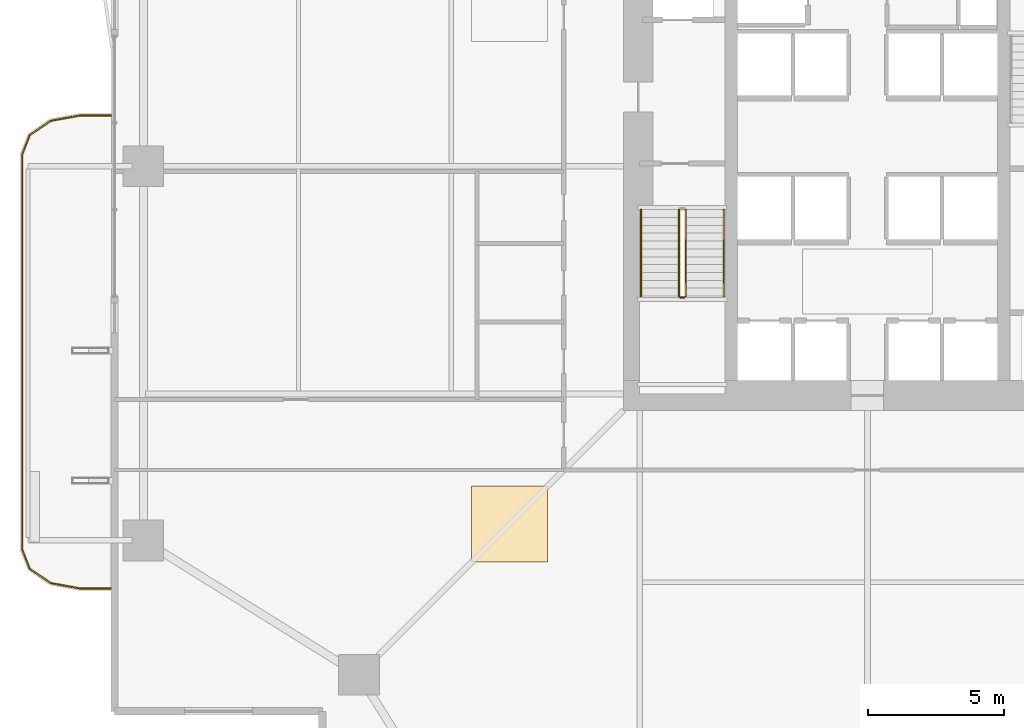
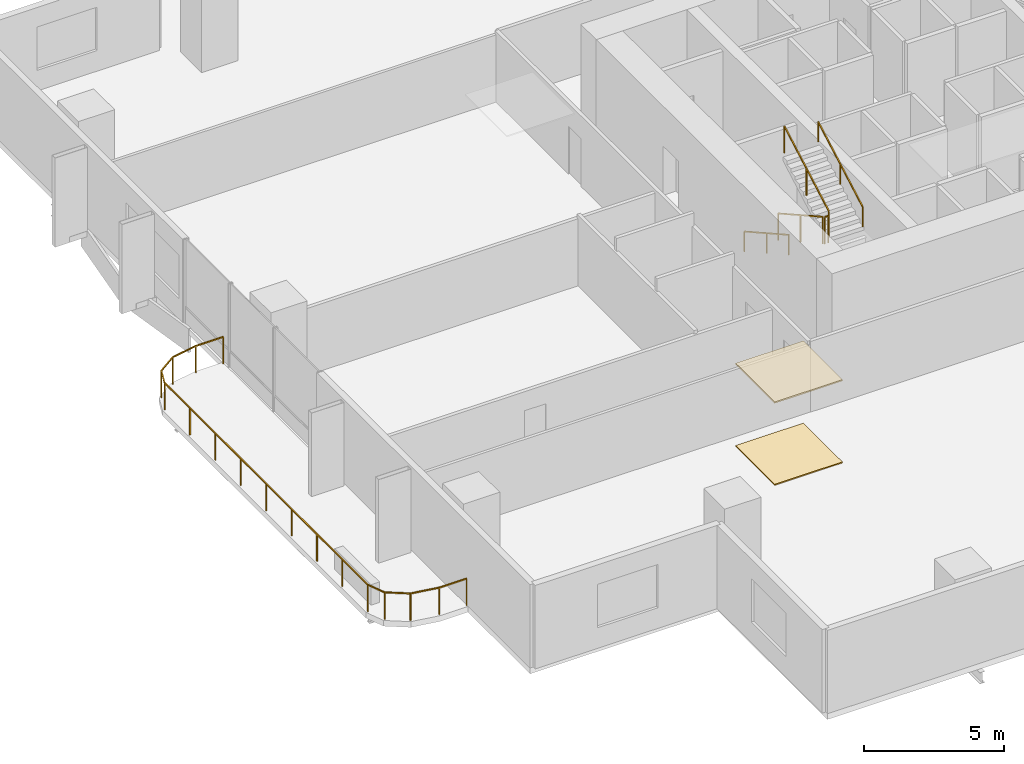
# One storey, part 20 of 23: 6 railings, 2 coverings.
"""IFC4 building model written with IfcOpenShell, lengths in metres."""

from ifc_helpers import new_model, si_unit, direction, frame, origin, origin_2d, place, context, subcontext, project, spatial, polyline, rectangle, outline, extrude, material, layer, layer_set, type_object, element, save


model = new_model("IFC4")

# Units and contexts
model_context = context("Model", 3, precision=1e-05, world=origin(), true_north=direction((0.0, 1.0)))
body_context = subcontext(model_context, "Body", "Model", "MODEL_VIEW")
ifc_project = project(units=[si_unit("LENGTHUNIT", "METRE"), si_unit("AREAUNIT", "SQUARE_METRE"), si_unit("VOLUMEUNIT", "CUBIC_METRE"), si_unit("PLANEANGLEUNIT", "RADIAN"), si_unit("MASSUNIT", "GRAM", prefix="KILO")], contexts=[model_context])

# Site, building, storey
site_placement = place(None, origin())
site = spatial("IfcSite", under=ifc_project, at=site_placement, CompositionType="ELEMENT")
building_placement = place(site_placement, origin())
building = spatial("IfcBuilding", under=site, at=building_placement, Name="Belovzor Exchange Tower", CompositionType="ELEMENT")
storey_placement = place(building_placement, frame((0.0, 0.0, 84.60009765625)))
storey = spatial("IfcBuildingStorey", under=building, at=storey_placement, Name="L20", CompositionType="ELEMENT", Elevation=84.60009765625)

# Railings
ifc_material_1 = material(Name="Stainless Steel Grade 304", Category="steel")
railing_type_1 = type_object("IfcRailingType", Name="Brushed Stainless Steel Stair Handrail 900", PredefinedType="HANDRAIL", material=ifc_material_1)
railing_1_placement = place(storey_placement, frame((20.449951171875, 27.199951171875, 0.162353515625)))
element("IfcRailing", 1, at=railing_1_placement, inside=storey, type_object=railing_type_1, Name="L20 ST-1 stair handrail 1", PredefinedType="HANDRAIL", context=body_context, shape_type="SweptSolid", body=[
    extrude(rectangle(XDim=0.048095703125, YDim=0.048095703125, at=origin_2d()), frame((0.0, 0.0, 0.8759765625), z_axis=(0.0, -0.8723625253, 0.488859514025), x_axis=(1.0, 0.0, 0.0)), (0.0, 0.0, 1.0), 3.65673828125),
    extrude(rectangle(XDim=0.0419921875, YDim=0.0419921875, at=origin_2d()), origin(), (0.0, 0.0, 1.0), 0.851806640625),
    extrude(rectangle(XDim=0.0419921875, YDim=0.0419921875, at=origin_2d()), frame((0.0, -1.594970703125, 0.893798828125)), (0.0, 0.0, 1.0), 0.851806640625),
    extrude(rectangle(XDim=0.0419921875, YDim=0.0419921875, at=origin_2d()), frame((0.0, -3.18994140625, 1.78759765625)), (0.0, 0.0, 1.0), 0.851806640625),
])
railing_2_placement = place(storey_placement, frame((23.5, 24.010009765625, 2.1123046875)))
element("IfcRailing", 2, at=railing_2_placement, inside=storey, type_object=railing_type_1, Name="L20 ST-1 stair handrail 2", PredefinedType="HANDRAIL", context=body_context, shape_type="SweptSolid", body=[
    extrude(rectangle(XDim=0.048095703125, YDim=0.048095703125, at=origin_2d()), frame((0.0, 0.0, 0.8759765625), z_axis=(0.0, 0.8723625253, 0.488859514025), x_axis=(-1.0, 0.0, 0.0)), (0.0, 0.0, 1.0), 3.65673828125),
    extrude(rectangle(XDim=0.0419921875, YDim=0.0419921875, at=origin_2d()), origin(), (0.0, 0.0, 1.0), 0.851806640625),
    extrude(rectangle(XDim=0.0419921875, YDim=0.0419921875, at=origin_2d()), frame((0.0, 1.594970703125, 0.893798828125)), (0.0, 0.0, 1.0), 0.851806640625),
    extrude(rectangle(XDim=0.0419921875, YDim=0.0419921875, at=origin_2d()), frame((0.0, 3.18994140625, 1.78759765625)), (0.0, 0.0, 1.0), 0.851806640625),
])
ifc_material_2 = material(Name="Stainless Steel and Laminated Safety Glass", Category="steel")
railing_type_2 = type_object("IfcRailingType", Name="Laminated Glass & Stainless Steel Balcony Balustrade 1200", PredefinedType="BALUSTRADE", material=ifc_material_2)
railing_3_placement = place(storey_placement, frame((0.889892578125, 30.669921875, 0.0)))
element("IfcRailing", 3, at=railing_3_placement, inside=storey, type_object=railing_type_2, Name="GR-1 Balcony Balustrade L20 West", PredefinedType="BALUSTRADE", context=body_context, shape_type="SweptSolid", body=[
    extrude(rectangle(XDim=0.048095703125, YDim=0.048095703125, at=origin_2d()), frame((0.0, 0.0, 1.17578125), z_axis=(-1.0, 0.0, 0.0), x_axis=(0.0, -1.0, 0.0)), (0.0, 0.0, 1.0), 1.1328125),
    extrude(rectangle(XDim=0.048095703125, YDim=0.048095703125, at=origin_2d()), frame((-1.1328125, 0.0, 1.17578125), z_axis=(-0.983651385113, -0.180083182347, 0.0), x_axis=(0.180083182347, -0.983651385113, 0.0)), (0.0, 0.0, 1.0), 1.093994140625),
    extrude(rectangle(XDim=0.048095703125, YDim=0.048095703125, at=origin_2d()), frame((-2.208984375, -0.197021484375, 1.17578125), z_axis=(-0.826614792125, -0.562768145367, 0.0), x_axis=(0.562768145367, -0.826614792125, 0.0)), (0.0, 0.0, 1.0), 0.9326171875),
    extrude(rectangle(XDim=0.048095703125, YDim=0.048095703125, at=origin_2d()), frame((-2.97998046875, -0.721923828125, 1.17578125), z_axis=(-0.365612923861, -0.930766990125, 0.0), x_axis=(0.930766990125, -0.365612923861, 0.0)), (0.0, 0.0, 1.0), 0.765869140625),
    extrude(rectangle(XDim=0.048095703125, YDim=0.048095703125, at=origin_2d()), frame((-3.260009765625, -1.434814453125, 1.17578125), z_axis=(0.0, -1.0, 0.0), x_axis=(1.0, 0.0, 0.0)), (0.0, 0.0, 1.0), 14.570068359375),
    extrude(rectangle(XDim=0.048095703125, YDim=0.048095703125, at=origin_2d()), frame((-3.260009765625, -16.0048828125, 1.17578125), z_axis=(0.365504480807, -0.930809580156, 0.0), x_axis=(0.930809580156, 0.365504480807, 0.0)), (0.0, 0.0, 1.0), 0.76611328125),
    extrude(rectangle(XDim=0.048095703125, YDim=0.048095703125, at=origin_2d()), frame((-2.97998046875, -16.718017578125, 1.17578125), z_axis=(0.826614792125, -0.562768145367, 0.0), x_axis=(0.562768145367, 0.826614792125, 0.0)), (0.0, 0.0, 1.0), 0.9326171875),
    extrude(rectangle(XDim=0.048095703125, YDim=0.048095703125, at=origin_2d()), frame((-2.208984375, -17.242919921875, 1.17578125), z_axis=(0.983651385113, -0.180083182347, 0.0), x_axis=(0.180083182347, 0.983651385113, 0.0)), (0.0, 0.0, 1.0), 1.093994140625),
    extrude(rectangle(XDim=0.048095703125, YDim=0.048095703125, at=origin_2d()), frame((-1.1328125, -17.43994140625, 1.17578125), z_axis=(1.0, 0.0, 0.0), x_axis=(0.0, 1.0, 0.0)), (0.0, 0.0, 1.0), 1.1328125),
    extrude(rectangle(XDim=0.0419921875, YDim=0.0419921875, at=origin_2d()), origin(), (0.0, 0.0, 1.0), 1.15185546875),
    extrude(rectangle(XDim=0.0419921875, YDim=0.0419921875, at=origin_2d()), frame((-1.1328125, 0.0, 0.0)), (0.0, 0.0, 1.0), 1.15185546875),
    extrude(rectangle(XDim=0.0419921875, YDim=0.0419921875, at=origin_2d()), frame((-2.208984375, -0.197021484375, 0.0)), (0.0, 0.0, 1.0), 1.15185546875),
    extrude(rectangle(XDim=0.0419921875, YDim=0.0419921875, at=origin_2d()), frame((-2.97998046875, -0.721923828125, 0.0)), (0.0, 0.0, 1.0), 1.15185546875),
    extrude(rectangle(XDim=0.0419921875, YDim=0.0419921875, at=origin_2d()), frame((-3.260009765625, -1.434814453125, 0.0)), (0.0, 0.0, 1.0), 1.15185546875),
    extrude(rectangle(XDim=0.0419921875, YDim=0.0419921875, at=origin_2d()), frame((-3.260009765625, -3.256103515625, 0.0)), (0.0, 0.0, 1.0), 1.15185546875),
    extrude(rectangle(XDim=0.0419921875, YDim=0.0419921875, at=origin_2d()), frame((-3.260009765625, -5.077392578125, 0.0)), (0.0, 0.0, 1.0), 1.15185546875),
    extrude(rectangle(XDim=0.0419921875, YDim=0.0419921875, at=origin_2d()), frame((-3.260009765625, -6.898681640625, 0.0)), (0.0, 0.0, 1.0), 1.15185546875),
    extrude(rectangle(XDim=0.0419921875, YDim=0.0419921875, at=origin_2d()), frame((-3.260009765625, -8.7197265625, 0.0)), (0.0, 0.0, 1.0), 1.15185546875),
    extrude(rectangle(XDim=0.0419921875, YDim=0.0419921875, at=origin_2d()), frame((-3.260009765625, -10.541015625, 0.0)), (0.0, 0.0, 1.0), 1.15185546875),
    extrude(rectangle(XDim=0.0419921875, YDim=0.0419921875, at=origin_2d()), frame((-3.260009765625, -12.3623046875, 0.0)), (0.0, 0.0, 1.0), 1.15185546875),
    extrude(rectangle(XDim=0.0419921875, YDim=0.0419921875, at=origin_2d()), frame((-3.260009765625, -14.18359375, 0.0)), (0.0, 0.0, 1.0), 1.15185546875),
    extrude(rectangle(XDim=0.0419921875, YDim=0.0419921875, at=origin_2d()), frame((-3.260009765625, -16.0048828125, 0.0)), (0.0, 0.0, 1.0), 1.15185546875),
    extrude(rectangle(XDim=0.0419921875, YDim=0.0419921875, at=origin_2d()), frame((-2.97998046875, -16.718017578125, 0.0)), (0.0, 0.0, 1.0), 1.15185546875),
    extrude(rectangle(XDim=0.0419921875, YDim=0.0419921875, at=origin_2d()), frame((-2.208984375, -17.242919921875, 0.0)), (0.0, 0.0, 1.0), 1.15185546875),
    extrude(rectangle(XDim=0.0419921875, YDim=0.0419921875, at=origin_2d()), frame((-1.1328125, -17.43994140625, 0.0)), (0.0, 0.0, 1.0), 1.15185546875),
    extrude(rectangle(XDim=0.0419921875, YDim=0.0419921875, at=origin_2d()), frame((0.0, -17.43994140625, 0.0)), (0.0, 0.0, 1.0), 1.15185546875),
])
ifc_material_3 = material(Name="Steel S355", Category="steel")
railing_type_3 = type_object("IfcRailingType", Name="Painted Steel Stairwell Guardrail 1200", PredefinedType="GUARDRAIL", material=ifc_material_3)
railing_4_placement = place(storey_placement, frame((21.85009765625, 27.199951171875, 0.162353515625)))
element("IfcRailing", 4, at=railing_4_placement, inside=storey, type_object=railing_type_3, Name="L20 ST-1 stair guard 1", PredefinedType="GUARDRAIL", context=body_context, shape_type="SweptSolid", body=[
    extrude(rectangle(XDim=0.048095703125, YDim=0.048095703125, at=origin_2d()), frame((0.0, 0.0, 1.17578125), z_axis=(0.0, -0.8723625253, 0.488859514025), x_axis=(1.0, 0.0, 0.0)), (0.0, 0.0, 1.0), 3.65673828125),
    extrude(rectangle(XDim=0.0419921875, YDim=0.0419921875, at=origin_2d()), origin(), (0.0, 0.0, 1.0), 1.15185546875),
    extrude(rectangle(XDim=0.0419921875, YDim=0.0419921875, at=origin_2d()), frame((0.0, -1.594970703125, 0.893798828125)), (0.0, 0.0, 1.0), 1.15185546875),
    extrude(rectangle(XDim=0.0419921875, YDim=0.0419921875, at=origin_2d()), frame((0.0, -3.18994140625, 1.78759765625)), (0.0, 0.0, 1.0), 1.15185546875),
])
railing_5_placement = place(storey_placement, frame((21.89990234375, 23.9599609375, 1.949951171875)))
element("IfcRailing", 5, at=railing_5_placement, inside=storey, type_object=railing_type_3, Name="L20 ST-1 stair guard 2", PredefinedType="GUARDRAIL", context=body_context, shape_type="SweptSolid", body=[
    extrude(rectangle(XDim=0.048095703125, YDim=0.048095703125, at=origin_2d()), frame((0.0, 0.0, 1.17578125), z_axis=(1.0, 0.0, 0.0), x_axis=(0.0, 1.0, 0.0)), (0.0, 0.0, 1.0), 0.150146484375),
    extrude(rectangle(XDim=0.0419921875, YDim=0.0419921875, at=origin_2d()), origin(), (0.0, 0.0, 1.0), 1.15185546875),
    extrude(rectangle(XDim=0.0419921875, YDim=0.0419921875, at=origin_2d()), frame((0.150146484375, 0.0, 0.0)), (0.0, 0.0, 1.0), 1.15185546875),
])
railing_6_placement = place(storey_placement, frame((22.10009765625, 24.010009765625, 2.1123046875)))
element("IfcRailing", 6, at=railing_6_placement, inside=storey, type_object=railing_type_3, Name="L20 ST-1 stair guard 3", PredefinedType="GUARDRAIL", context=body_context, shape_type="SweptSolid", body=[
    extrude(rectangle(XDim=0.048095703125, YDim=0.048095703125, at=origin_2d()), frame((0.0, 0.0, 1.17578125), z_axis=(0.0, 0.8723625253, 0.488859514025), x_axis=(-1.0, 0.0, 0.0)), (0.0, 0.0, 1.0), 3.65673828125),
    extrude(rectangle(XDim=0.0419921875, YDim=0.0419921875, at=origin_2d()), origin(), (0.0, 0.0, 1.0), 1.15185546875),
    extrude(rectangle(XDim=0.0419921875, YDim=0.0419921875, at=origin_2d()), frame((0.0, 1.594970703125, 0.893798828125)), (0.0, 0.0, 1.0), 1.15185546875),
    extrude(rectangle(XDim=0.0419921875, YDim=0.0419921875, at=origin_2d()), frame((0.0, 3.18994140625, 1.78759765625)), (0.0, 0.0, 1.0), 1.15185546875),
])

# Coverings
ifc_material_4 = material(Name="Perforated Powder-Coated Aluminium", Category="aluminium")
ifc_layer_1 = layer(ifc_material_4, 0.06005859375)
ifc_layer_set_1 = layer_set([ifc_layer_1], Name="Perforated Powder-Coated Aluminium")
covering_type_1 = type_object("IfcCoveringType", Name="Perforated Acoustic Metal Tile Suspended Ceiling 60", PredefinedType="CEILING", material=ifc_layer_set_1)
covering_1_placement = place(storey_placement, frame((0.0, 0.0, 3.58984375)))
element("IfcCovering", 7, at=covering_1_placement, inside=storey, type_object=covering_type_1, Name="CLG-AC60 Suspended Ceiling CLG-L20-Z0", PredefinedType="CEILING", context=body_context, shape_type="SweptSolid", body=[
    extrude(outline(polyline([(14.199951171875, 14.199951171875), (17.0, 14.199951171875), (17.0, 17.0), (14.199951171875, 17.0), (14.199951171875, 14.199951171875)])), origin(), (0.0, 0.0, 1.0), 0.06005859375),
])
ifc_material_5 = material(Name="Polished Natural Granite Tile", Category="masonry")
ifc_layer_2 = layer(ifc_material_5, 0.050048828125)
ifc_layer_set_2 = layer_set([ifc_layer_2], Name="Polished Natural Granite Tile")
covering_type_2 = type_object("IfcCoveringType", Name="Polished Karelian Granite & Raised Access Floor Finish 50", PredefinedType="FLOORING", material=ifc_layer_set_2)
covering_2_placement = place(storey_placement, origin())
element("IfcCovering", 8, at=covering_2_placement, inside=storey, type_object=covering_type_2, Name="FLR-GR50 Floor Finish FLR-L20-Z0", PredefinedType="FLOORING", context=body_context, shape_type="SweptSolid", body=[
    extrude(outline(polyline([(14.199951171875, 14.199951171875), (17.0, 14.199951171875), (17.0, 17.0), (14.199951171875, 17.0), (14.199951171875, 14.199951171875)])), origin(), (0.0, 0.0, 1.0), 0.0498046875),
])

save(model, "model.ifc")
